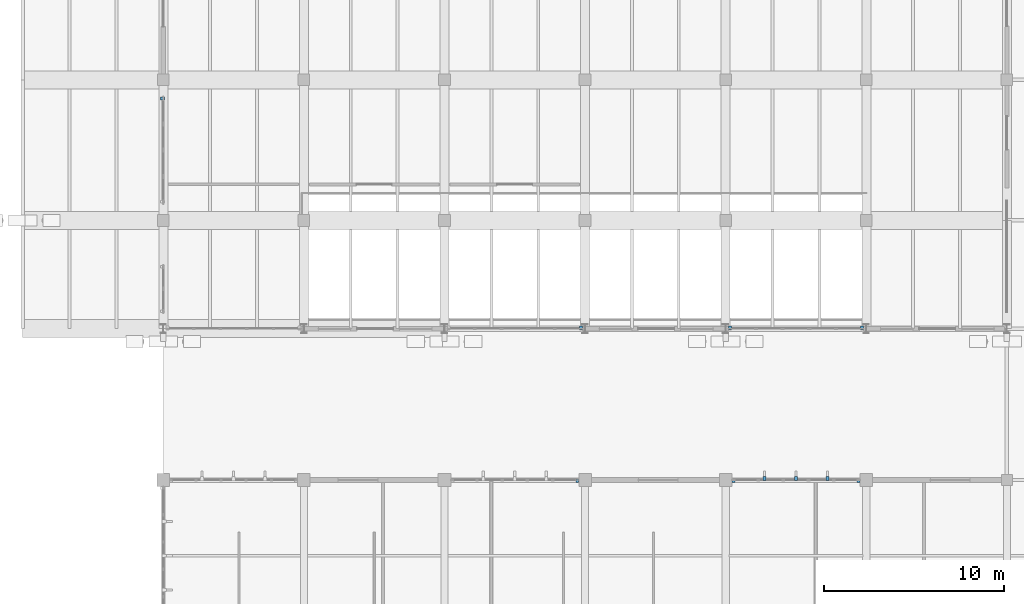
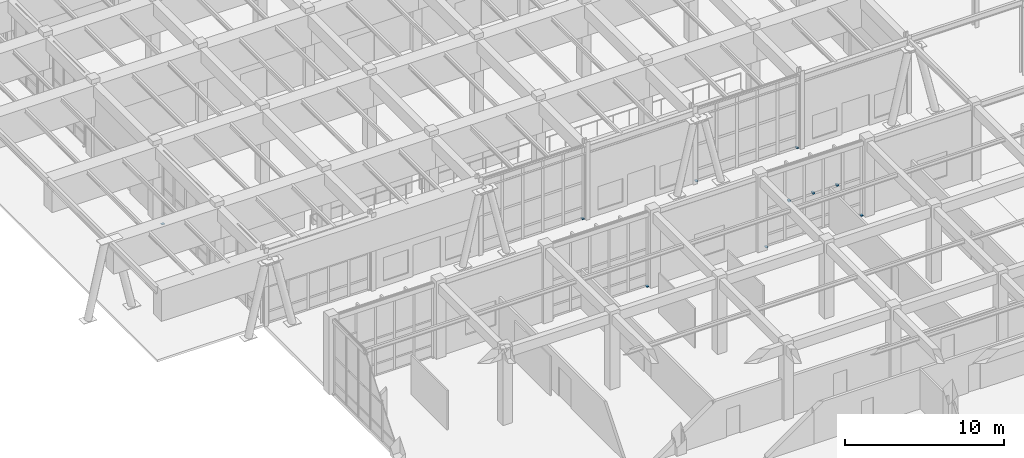
# One storey, part 87 of 110: 10 discrete accessories.
"""IFC4 building model written with IfcOpenShell, lengths in metres."""

from ifc_helpers import new_model, si_unit, direction, frame, origin, origin_2d, place, context, subcontext, project, spatial, rectangle, extrude, material, type_object, element, save


model = new_model("IFC4")

# Units and contexts
model_context = context("Model", 3, precision=1e-05, world=origin(), true_north=direction((0.0, 1.0)))
body_context = subcontext(model_context, "Body", "Model", "MODEL_VIEW")
ifc_project = project(units=[si_unit("LENGTHUNIT", "METRE"), si_unit("AREAUNIT", "SQUARE_METRE"), si_unit("VOLUMEUNIT", "CUBIC_METRE"), si_unit("PLANEANGLEUNIT", "RADIAN"), si_unit("MASSUNIT", "GRAM", prefix="KILO")], contexts=[model_context])

# Site, building, storey
site_placement = place(None, origin())
site = spatial("IfcSite", under=ifc_project, at=site_placement, CompositionType="ELEMENT")
building_placement = place(site_placement, origin())
building = spatial("IfcBuilding", under=site, at=building_placement, Name="Tizgana Railside Sports Hall", CompositionType="ELEMENT")
storey_placement = place(building_placement, origin())
storey = spatial("IfcBuildingStorey", under=building, at=storey_placement, Name="L00", CompositionType="ELEMENT", Elevation=0.0)

# Discrete accessories
ifc_material = material(Name="Steel S355J2", Category="steel")
discrete_accessory_type = type_object("IfcDiscreteAccessoryType", Name="Stainless Facade Support Bracket", PredefinedType="BRACKET", material=ifc_material)
for number, where, z_axis, x_axis, name in (
    (1, (30.965087890625, 40.840087890625, -0.010009765625), (0.0, 0.0, 1.0), (-1.0, 0.0, 0.0), "L00 Curtain Wall Base Bracket"),
    (2, (46.5625, 40.840087890625, -0.010009765625), (0.0, 0.0, 1.0), (-1.0, 0.0, 0.0), "L00 Curtain Wall Base Bracket"),
    (3, (39.237548828125, 40.840087890625, -0.010009765625), (0.0, 0.0, 1.0), (-1.0, 0.0, 0.0), "L00 Curtain Wall Base Bracket"),
    (4, (7.760009765625, 53.5625, -0.010009765625), (0.0, 0.0, 1.0), (0.0, -1.0, 0.0), "L00 Curtain Wall Base Bracket"),
    (5, (30.764892578125, 32.360107421875, -0.010009765625), (0.0, 0.0, 1.0), (1.0, 0.0, 0.0), "L00 Curtain Wall Base Bracket"),
    (6, (39.43505859375, 32.360107421875, -0.010009765625), (0.0, 0.0, 1.0), (1.0, 0.0, 0.0), "L00 Curtain Wall Base Bracket"),
    (7, (46.364990234375, 32.360107421875, -0.010009765625), (0.0, 0.0, 1.0), (1.0, 0.0, 0.0), "L00 Curtain Wall Base Bracket"),
):
    element("IfcDiscreteAccessory", number, at=place(storey_placement, frame(where, z_axis=z_axis, x_axis=x_axis)), inside=storey, type_object=discrete_accessory_type, Name=name, PredefinedType="BRACKET", context=body_context, shape_type="SweptSolid", body=[
        extrude(rectangle(XDim=0.159912109375, YDim=0.219970703125, at=origin_2d()), origin(), (0.0, 0.0, 1.0), 0.06494140625),
    ])
for number, where, z_axis, x_axis, name in (
    (8, (41.152587890625, 32.47998046875, 2.83740234375), (0.0, 0.0, 1.0), (1.0, 0.0, 0.0), "L00 Fin Bracket"),
    (9, (42.89990234375, 32.47998046875, 2.83740234375), (0.0, 0.0, 1.0), (1.0, 0.0, 0.0), "L00 Fin Bracket"),
    (10, (44.6474609375, 32.47998046875, 2.83740234375), (0.0, 0.0, 1.0), (1.0, 0.0, 0.0), "L00 Fin Bracket"),
):
    element("IfcDiscreteAccessory", number, at=place(storey_placement, frame(where, z_axis=z_axis, x_axis=x_axis)), inside=storey, type_object=discrete_accessory_type, Name=name, PredefinedType="BRACKET", context=body_context, shape_type="SweptSolid", body=[
        extrude(rectangle(XDim=0.159912109375, YDim=0.219970703125, at=origin_2d()), origin(), (0.0, 0.0, 1.0), 0.1201171875),
    ])

save(model, "model.ifc")
